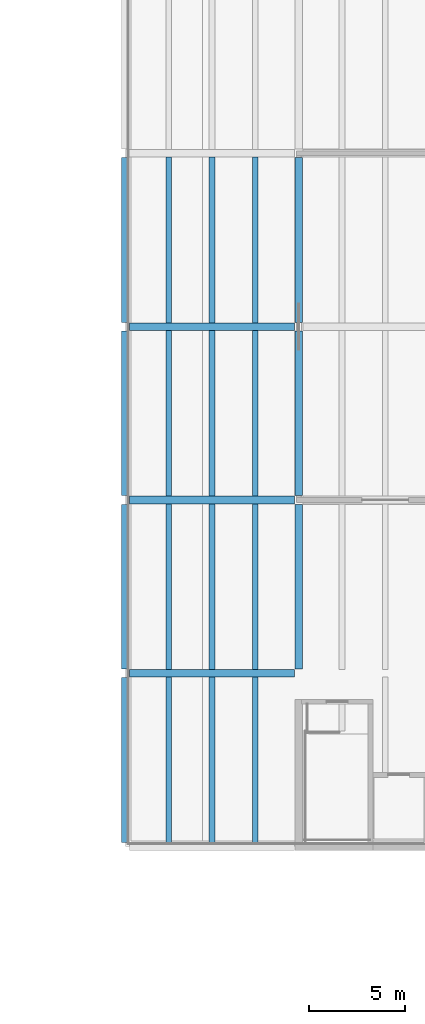
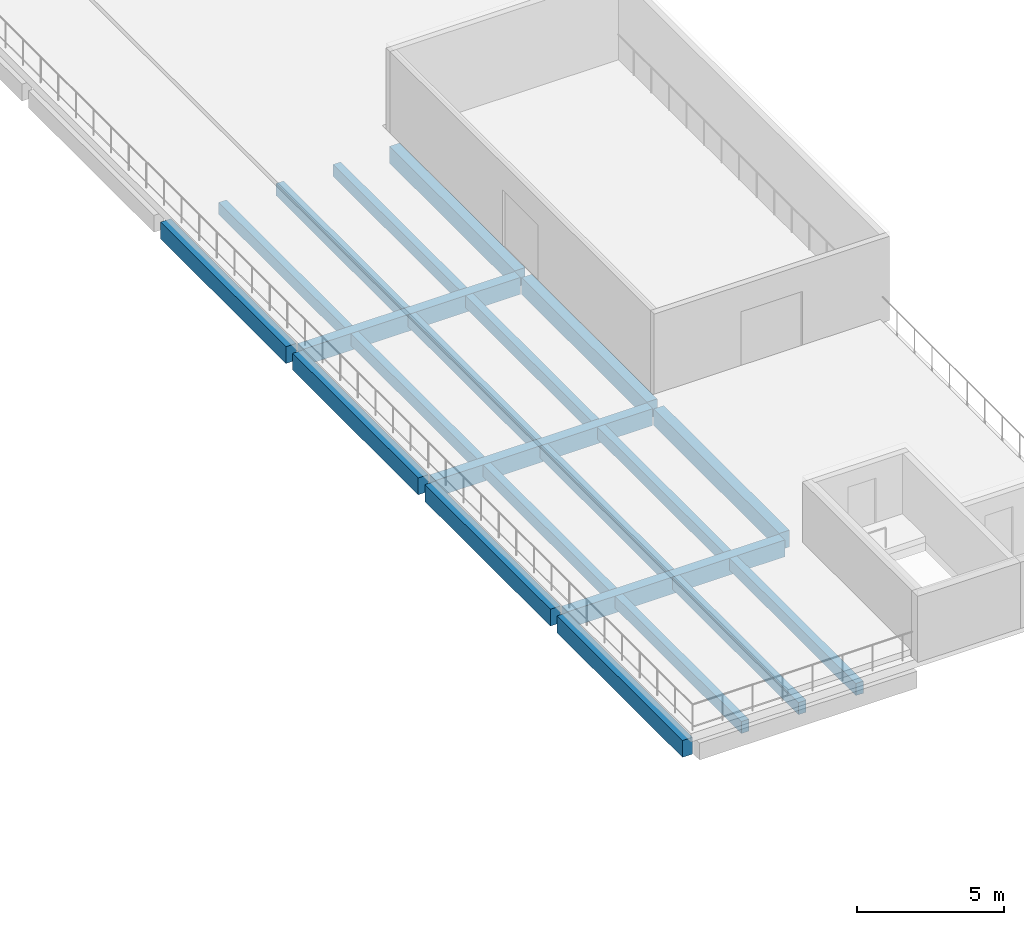
# One storey, part 16 of 74: 22 beams.
"""IFC4 building model written with IfcOpenShell, lengths in metres."""

from ifc_helpers import new_model, si_unit, direction, frame, origin, origin_2d, place, context, subcontext, project, spatial, rectangle, extrude, material, material_profile, profile_set, type_object, element, save


model = new_model("IFC4")

# Units and contexts
model_context = context("Model", 3, precision=1e-05, world=origin(), true_north=direction((0.0, 1.0)))
body_context = subcontext(model_context, "Body", "Model", "MODEL_VIEW")
ifc_project = project(units=[si_unit("LENGTHUNIT", "METRE"), si_unit("AREAUNIT", "SQUARE_METRE"), si_unit("VOLUMEUNIT", "CUBIC_METRE"), si_unit("PLANEANGLEUNIT", "RADIAN"), si_unit("MASSUNIT", "GRAM", prefix="KILO")], contexts=[model_context])

# Site, building, storey
site_placement = place(None, origin())
site = spatial("IfcSite", under=ifc_project, at=site_placement, CompositionType="ELEMENT")
building_placement = place(site_placement, origin())
building = spatial("IfcBuilding", under=site, at=building_placement, Name="Merrow Basin Faculty of Sciences", CompositionType="ELEMENT")
storey_placement = place(building_placement, frame((0.0, 0.0, 13.5)))
storey = spatial("IfcBuildingStorey", under=building, at=storey_placement, Name="L03", CompositionType="ELEMENT", Elevation=13.5)

# Beams
ifc_material_1 = material(Name="Concrete C40/50", Category="concrete")
ifc_material_profile_1 = material_profile(ifc_material_1, rectangle(XDim=0.39990234375, YDim=0.699951171875, at=origin_2d()))
ifc_profile_set_1 = profile_set([ifc_material_profile_1], Name="Concrete C40/50")
beam_type_1 = type_object("IfcBeamType", Name="Beam RC400x700 C40/50", PredefinedType="BEAM", material=ifc_profile_set_1)
for number, where, z_axis, x_axis, name in (
    (1, (54.22509765625, 70.0, -0.699951171875), (1.0, 0.0, 0.0), (0.0, 1.0, 0.0), "B3 L03 002"),
    (2, (54.22509765625, 79.0, -0.699951171875), (1.0, 0.0, 0.0), (0.0, 1.0, 0.0), "B3 L03 003"),
    (3, (54.22509765625, 88.0, -0.699951171875), (1.0, 0.0, 0.0), (0.0, 1.0, 0.0), "B3 L03 005"),
    (4, (54.0, 61.22509765625, -0.699951171875), (0.0, 1.0, 0.0), (-1.0, 0.0, 0.0), "B3 L03 024"),
    (5, (54.0, 70.22509765625, -0.699951171875), (0.0, 1.0, 0.0), (-1.0, 0.0, 0.0), "B3 L03 025"),
    (6, (54.0, 79.22509765625, -0.699951171875), (0.0, 1.0, 0.0), (-1.0, 0.0, 0.0), "B3 L03 026"),
    (7, (54.0, 88.22509765625, -0.699951171875), (0.0, 1.0, 0.0), (-1.0, 0.0, 0.0), "B3 L03 027"),
    (8, (63.0, 70.22509765625, -0.699951171875), (0.0, 1.0, 0.0), (-1.0, 0.0, 0.0), "B3 L03 032"),
    (9, (63.0, 79.22509765625, -0.699951171875), (0.0, 1.0, 0.0), (-1.0, 0.0, 0.0), "B3 L03 033"),
    (10, (63.0, 88.22509765625, -0.699951171875), (0.0, 1.0, 0.0), (-1.0, 0.0, 0.0), "B3 L03 034"),
):
    element("IfcBeam", number, at=place(storey_placement, frame(where, z_axis=z_axis, x_axis=x_axis)), inside=storey, type_object=beam_type_1, Name=name, PredefinedType="BEAM", context=body_context, shape_type="SweptSolid", body=[
        extrude(rectangle(XDim=0.39990234375, YDim=0.699951171875, at=origin_2d()), origin(), (0.0, 0.0, 1.0), 8.5498046875),
    ])
ifc_material_2 = material(Name="Concrete C40/50", Category="concrete")
ifc_material_profile_2 = material_profile(ifc_material_2, rectangle(XDim=0.300048828125, YDim=0.5, at=origin_2d()))
ifc_profile_set_2 = profile_set([ifc_material_profile_2], Name="Concrete C40/50")
beam_type_2 = type_object("IfcBeamType", Name="Terrace roof joist RC300x500 C40/50", PredefinedType="BEAM", material=ifc_profile_set_2)
for number, where, z_axis, x_axis, name in (
    (11, (56.25, 61.199951171875, -0.60009765625), (0.0, 1.0, 0.0), (-1.0, 0.0, 0.0), "JD1 L03 071"),
    (12, (58.5, 61.199951171875, -0.60009765625), (0.0, 1.0, 0.0), (-1.0, 0.0, 0.0), "JD1 L03 072"),
    (13, (60.75, 61.199951171875, -0.60009765625), (0.0, 1.0, 0.0), (-1.0, 0.0, 0.0), "JD1 L03 073"),
    (14, (56.25, 70.199951171875, -0.60009765625), (0.0, 1.0, 0.0), (-1.0, 0.0, 0.0), "JD1 L03 074"),
    (15, (58.5, 70.199951171875, -0.60009765625), (0.0, 1.0, 0.0), (-1.0, 0.0, 0.0), "JD1 L03 075"),
    (16, (60.75, 70.199951171875, -0.60009765625), (0.0, 1.0, 0.0), (-1.0, 0.0, 0.0), "JD1 L03 076"),
    (17, (56.25, 79.199951171875, -0.60009765625), (0.0, 1.0, 0.0), (-1.0, 0.0, 0.0), "JD1 L03 077"),
    (18, (58.5, 79.199951171875, -0.60009765625), (0.0, 1.0, 0.0), (-1.0, 0.0, 0.0), "JD1 L03 078"),
    (19, (60.75, 79.199951171875, -0.60009765625), (0.0, 1.0, 0.0), (-1.0, 0.0, 0.0), "JD1 L03 079"),
    (20, (56.25, 88.199951171875, -0.60009765625), (0.0, 1.0, 0.0), (-1.0, 0.0, 0.0), "JD1 L03 080"),
    (21, (58.5, 88.199951171875, -0.60009765625), (0.0, 1.0, 0.0), (-1.0, 0.0, 0.0), "JD1 L03 081"),
    (22, (60.75, 88.199951171875, -0.60009765625), (0.0, 1.0, 0.0), (-1.0, 0.0, 0.0), "JD1 L03 082"),
):
    element("IfcBeam", number, at=place(storey_placement, frame(where, z_axis=z_axis, x_axis=x_axis)), inside=storey, type_object=beam_type_2, Name=name, PredefinedType="BEAM", context=body_context, shape_type="SweptSolid", body=[
        extrude(rectangle(XDim=0.300048828125, YDim=0.5, at=origin_2d()), origin(), (0.0, 0.0, 1.0), 8.60009765625),
    ])

save(model, "model.ifc")
